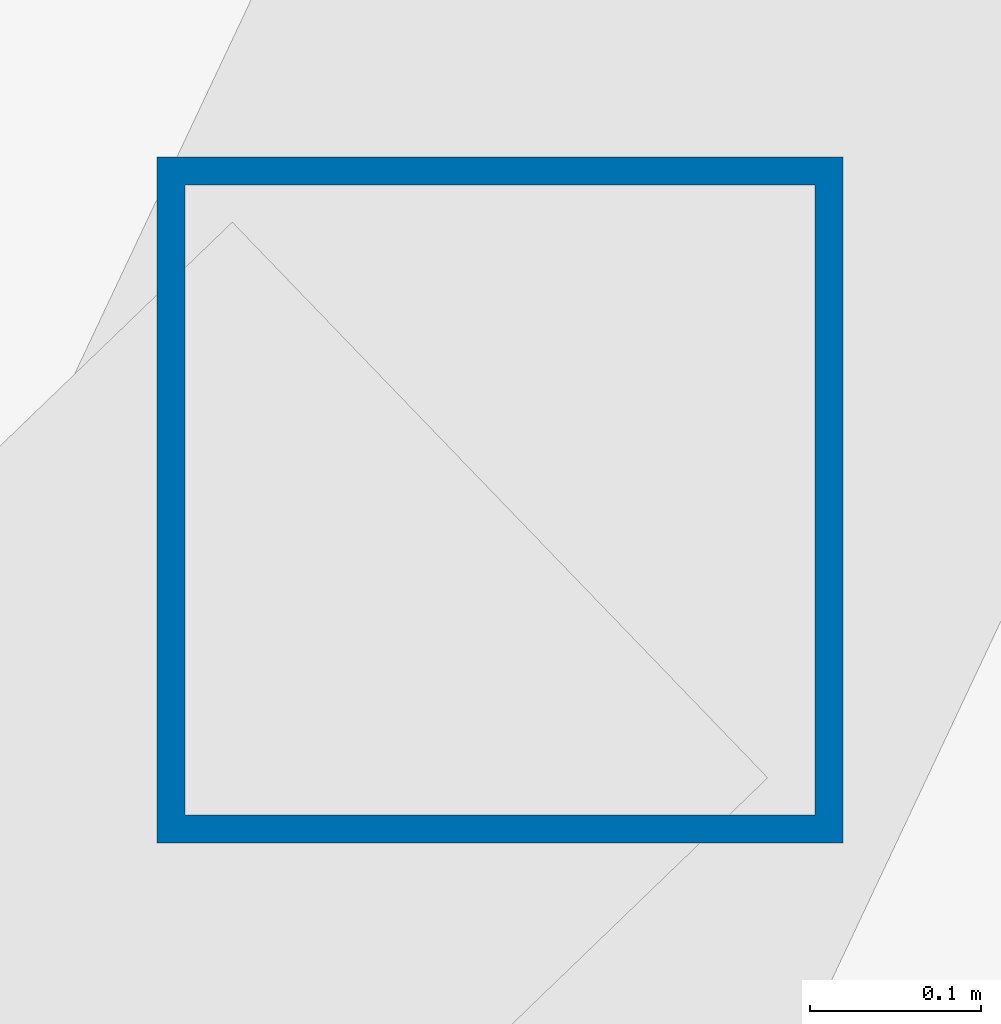
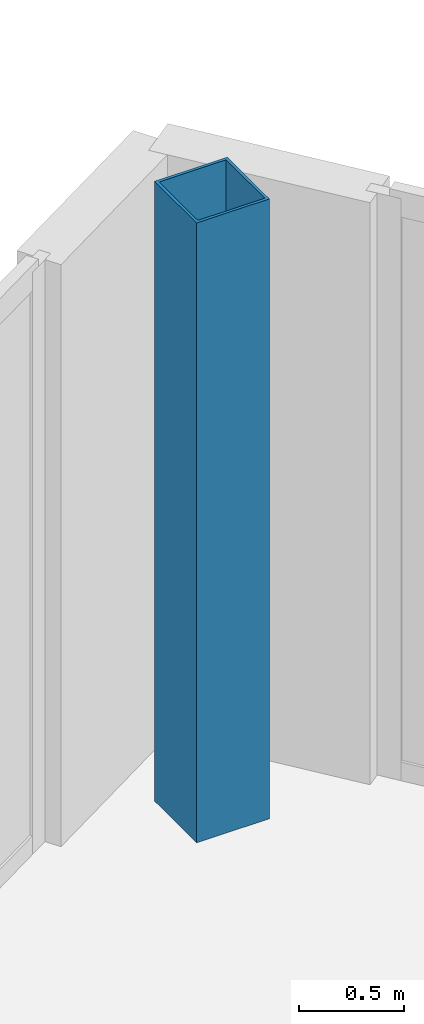
# One storey, part 2 of 29: 1 column.
"""IFC4 building model written with IfcOpenShell, lengths in metres."""

from ifc_helpers import new_model, si_unit, direction, frame, origin, origin_2d, place, context, subcontext, project, spatial, hollow_rectangle, extrude, source, transform, mapped, material, material_profile, profile_set, type_object, type_shapes, element, save


model = new_model("IFC4")

# Units and contexts
model_context = context("Model", 3, precision=1e-05, world=origin(), true_north=direction((0.0, 1.0)))
body_context = subcontext(model_context, "Body", "Model", "MODEL_VIEW")
ifc_project = project(units=[si_unit("LENGTHUNIT", "METRE"), si_unit("AREAUNIT", "SQUARE_METRE"), si_unit("VOLUMEUNIT", "CUBIC_METRE"), si_unit("PLANEANGLEUNIT", "RADIAN"), si_unit("MASSUNIT", "GRAM", prefix="KILO")], contexts=[model_context])

# Site, building, storey
site_placement = place(None, origin())
site = spatial("IfcSite", under=ifc_project, at=site_placement, CompositionType="ELEMENT")
building_placement = place(site_placement, origin())
building = spatial("IfcBuilding", under=site, at=building_placement, Name="Seokmaru Belvedere", CompositionType="ELEMENT")
storey_placement = place(building_placement, frame((0.0, 0.0, 195.89990234375)))
storey = spatial("IfcBuildingStorey", under=building, at=storey_placement, Name="L52", CompositionType="ELEMENT", Elevation=195.89990234375)

# Column
ifc_material = material(Name="Steel SM355 (355 MPa)", Category="steel")
ifc_material_profile = material_profile(ifc_material, hollow_rectangle(XDim=0.39990234375, YDim=0.39990234375, WallThickness=0.01611328125, at=origin_2d()), Name="HSS-400x400x16")
ifc_profile_set = profile_set([ifc_material_profile], Name="Steel SM355 (355 MPa)")
column_type = type_object("IfcColumnType", Name="Perimeter Facet Column HSS-400", PredefinedType="COLUMN", material=ifc_profile_set)
shared_shape = source(origin(), body_context, "Body", "SweptSolid", [
    extrude(hollow_rectangle(XDim=0.39990234375, YDim=0.39990234375, WallThickness=0.01611328125, at=origin_2d()), origin(), (0.0, 0.0, 1.0), 3.60009765625),
])
type_shapes(column_type, [shared_shape])
column_placement = place(storey_placement, frame((-32.649658203125, 21.71044921875, 0.0), z_axis=(0.0, 0.0, 1.0), x_axis=(1.0, 0.0, 0.0)))
element("IfcColumn", 1, at=column_placement, inside=storey, type_object=column_type, Name="L52 Column WF3", PredefinedType="COLUMN", context=body_context, shape_type="MappedRepresentation", body=[
    mapped(shared_shape, transform((0.0, 0.0, 0.0), scale=1.0)),
])

save(model, "model.ifc")
